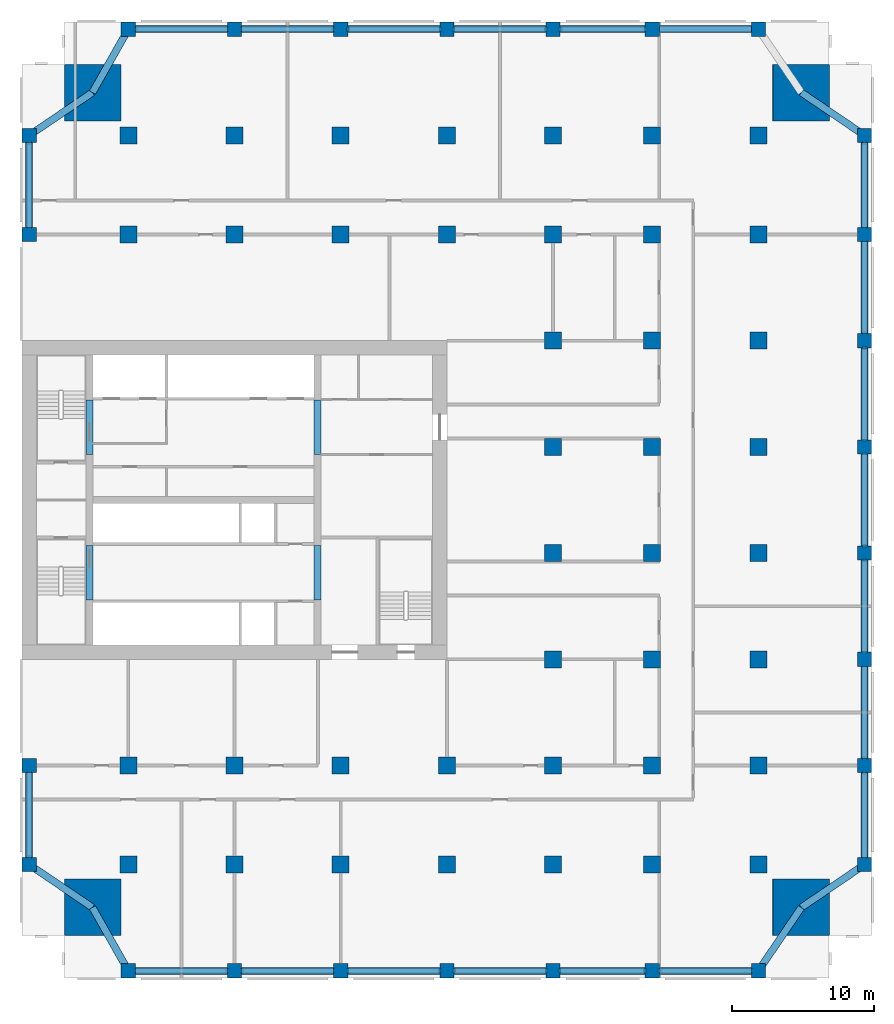
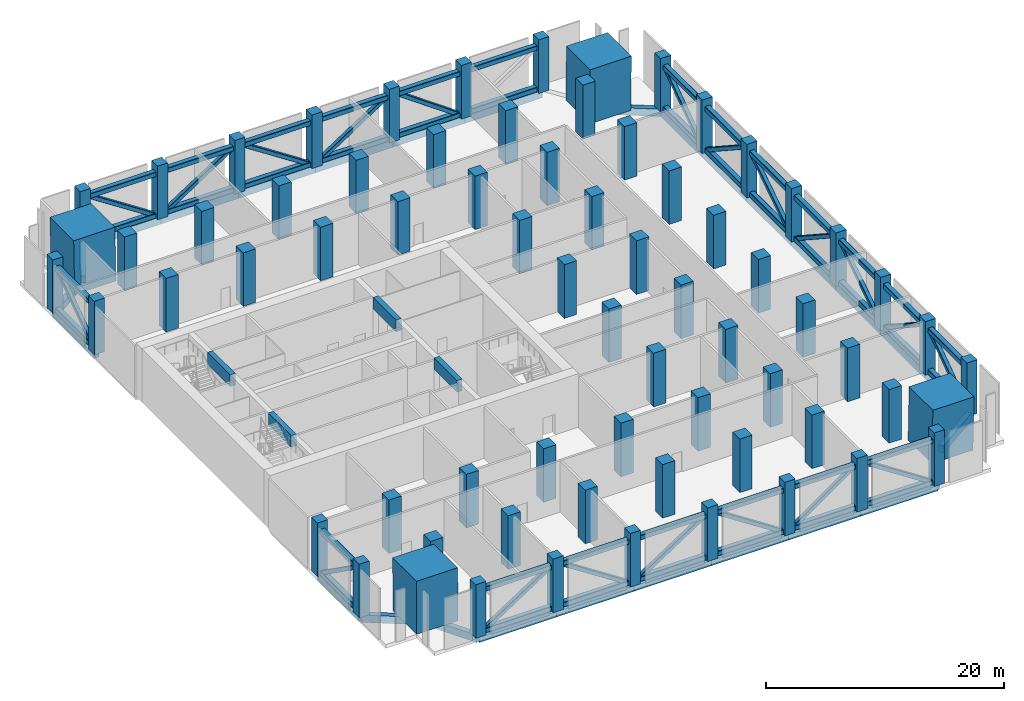
# One storey, part 1 of 10: 70 columns, 62 members, 32 beams.
"""IFC4 building model written with IfcOpenShell, lengths in metres."""

from ifc_helpers import new_model, si_unit, direction, frame, origin, origin_2d, place, context, subcontext, project, spatial, rectangle, hollow_rectangle, extrude, material, material_profile, profile_set, type_object, element, save


model = new_model("IFC4")

# Units and contexts
model_context = context("Model", 3, precision=1e-05, world=origin(), true_north=direction((0.0, 1.0)))
body_context = subcontext(model_context, "Body", "Model", "MODEL_VIEW")
ifc_project = project(units=[si_unit("LENGTHUNIT", "METRE"), si_unit("AREAUNIT", "SQUARE_METRE"), si_unit("VOLUMEUNIT", "CUBIC_METRE"), si_unit("PLANEANGLEUNIT", "RADIAN"), si_unit("MASSUNIT", "GRAM", prefix="KILO")], contexts=[model_context])

# Site, building, storey
site_placement = place(None, origin())
site = spatial("IfcSite", under=ifc_project, at=site_placement, CompositionType="ELEMENT")
building_placement = place(site_placement, origin())
building = spatial("IfcBuilding", under=site, at=building_placement, Name="Tamorin Gate", CompositionType="ELEMENT")
storey_placement = place(building_placement, frame((0.0, 0.0, 73.60009765625)))
storey = spatial("IfcBuildingStorey", under=building, at=storey_placement, Name="L17", CompositionType="ELEMENT", Elevation=73.60009765625)

# Columns
ifc_material_1 = material(Name="Concrete C80/95", Category="concrete")
ifc_material_profile_1 = material_profile(ifc_material_1, rectangle(XDim=1.0, YDim=1.0, at=origin_2d()), Name="RC 1000x1000")
ifc_profile_set_1 = profile_set([ifc_material_profile_1], Name="Concrete C80/95")
column_type_1 = type_object("IfcColumnType", Name="RC column 1000x1000 C80/95", PredefinedType="COLUMN", material=ifc_profile_set_1)
for number, where, z_axis, x_axis, name in (
    (1, (30.5, 45.5, 0.0), (0.0, 0.0, 1.0), (1.0, 0.0, 0.0), "Ring column L17"),
    (2, (30.5, 52.5, 0.0), (0.0, 0.0, 1.0), (1.0, 0.0, 0.0), "Ring column L17"),
    (3, (30.5, 90.0, 0.0), (0.0, 0.0, 1.0), (1.0, 0.0, 0.0), "Ring column L17"),
    (4, (30.5, 97.0, 0.0), (0.0, 0.0, 1.0), (1.0, 0.0, 0.0), "Ring column L17"),
    (5, (37.5, 38.0, 0.0), (0.0, 0.0, 1.0), (1.0, 0.0, 0.0), "Ring column L17"),
    (6, (37.5, 104.5, 0.0), (0.0, 0.0, 1.0), (1.0, 0.0, 0.0), "Ring column L17"),
    (7, (45.0, 38.0, 0.0), (0.0, 0.0, 1.0), (1.0, 0.0, 0.0), "Ring column L17"),
    (8, (45.0, 104.5, 0.0), (0.0, 0.0, 1.0), (1.0, 0.0, 0.0), "Ring column L17"),
    (9, (52.5, 38.0, 0.0), (0.0, 0.0, 1.0), (1.0, 0.0, 0.0), "Ring column L17"),
    (10, (52.5, 104.5, 0.0), (0.0, 0.0, 1.0), (1.0, 0.0, 0.0), "Ring column L17"),
    (11, (60.0, 38.0, 0.0), (0.0, 0.0, 1.0), (1.0, 0.0, 0.0), "Ring column L17"),
    (12, (60.0, 104.5, 0.0), (0.0, 0.0, 1.0), (1.0, 0.0, 0.0), "Ring column L17"),
    (13, (67.5, 38.0, 0.0), (0.0, 0.0, 1.0), (1.0, 0.0, 0.0), "Ring column L17"),
    (14, (67.5, 104.5, 0.0), (0.0, 0.0, 1.0), (1.0, 0.0, 0.0), "Ring column L17"),
    (15, (74.5, 38.0, 0.0), (0.0, 0.0, 1.0), (1.0, 0.0, 0.0), "Ring column L17"),
    (16, (74.5, 104.5, 0.0), (0.0, 0.0, 1.0), (1.0, 0.0, 0.0), "Ring column L17"),
    (17, (82.0, 38.0, 0.0), (0.0, 0.0, 1.0), (1.0, 0.0, 0.0), "Ring column L17"),
    (18, (82.0, 104.5, 0.0), (0.0, 0.0, 1.0), (1.0, 0.0, 0.0), "Ring column L17"),
    (19, (89.5, 45.5, 0.0), (0.0, 0.0, 1.0), (1.0, 0.0, 0.0), "Ring column L17"),
    (20, (89.5, 52.5, 0.0), (0.0, 0.0, 1.0), (1.0, 0.0, 0.0), "Ring column L17"),
    (21, (89.5, 60.0, 0.0), (0.0, 0.0, 1.0), (1.0, 0.0, 0.0), "Ring column L17"),
    (22, (89.5, 67.5, 0.0), (0.0, 0.0, 1.0), (1.0, 0.0, 0.0), "Ring column L17"),
    (23, (89.5, 75.0, 0.0), (0.0, 0.0, 1.0), (1.0, 0.0, 0.0), "Ring column L17"),
    (24, (89.5, 82.5, 0.0), (0.0, 0.0, 1.0), (1.0, 0.0, 0.0), "Ring column L17"),
    (25, (89.5, 90.0, 0.0), (0.0, 0.0, 1.0), (1.0, 0.0, 0.0), "Ring column L17"),
    (26, (89.5, 97.0, 0.0), (0.0, 0.0, 1.0), (1.0, 0.0, 0.0), "Ring column L17"),
):
    element("IfcColumn", number, at=place(storey_placement, frame(where, z_axis=z_axis, x_axis=x_axis)), inside=storey, type_object=column_type_1, Name=name, PredefinedType="COLUMN", context=body_context, shape_type="SweptSolid", body=[
        extrude(rectangle(XDim=1.0, YDim=1.0, at=origin_2d()), origin(), (0.0, 0.0, 1.0), 5.5),
    ])
ifc_material_profile_2 = material_profile(ifc_material_1, rectangle(XDim=1.199951171875, YDim=1.199951171875, at=origin_2d()), Name="RC 1200x1200")
ifc_profile_set_2 = profile_set([ifc_material_profile_2], Name="Concrete C80/95")
column_type_2 = type_object("IfcColumnType", Name="RC column 1200x1200 C80/95", PredefinedType="COLUMN", material=ifc_profile_set_2)
for number, where, z_axis, x_axis, name in (
    (27, (37.5, 45.5, 0.0), (0.0, 0.0, 1.0), (1.0, 0.0, 0.0), "Interior column L17"),
    (28, (37.5, 52.5, 0.0), (0.0, 0.0, 1.0), (1.0, 0.0, 0.0), "Interior column L17"),
    (29, (37.5, 90.0, 0.0), (0.0, 0.0, 1.0), (1.0, 0.0, 0.0), "Interior column L17"),
    (30, (37.5, 97.0, 0.0), (0.0, 0.0, 1.0), (1.0, 0.0, 0.0), "Interior column L17"),
    (31, (45.0, 45.5, 0.0), (0.0, 0.0, 1.0), (1.0, 0.0, 0.0), "Interior column L17"),
    (32, (45.0, 52.5, 0.0), (0.0, 0.0, 1.0), (1.0, 0.0, 0.0), "Interior column L17"),
    (33, (45.0, 90.0, 0.0), (0.0, 0.0, 1.0), (1.0, 0.0, 0.0), "Interior column L17"),
    (34, (45.0, 97.0, 0.0), (0.0, 0.0, 1.0), (1.0, 0.0, 0.0), "Interior column L17"),
    (35, (52.5, 45.5, 0.0), (0.0, 0.0, 1.0), (1.0, 0.0, 0.0), "Interior column L17"),
    (36, (52.5, 52.5, 0.0), (0.0, 0.0, 1.0), (1.0, 0.0, 0.0), "Interior column L17"),
    (37, (52.5, 90.0, 0.0), (0.0, 0.0, 1.0), (1.0, 0.0, 0.0), "Interior column L17"),
    (38, (52.5, 97.0, 0.0), (0.0, 0.0, 1.0), (1.0, 0.0, 0.0), "Interior column L17"),
    (39, (60.0, 45.5, 0.0), (0.0, 0.0, 1.0), (1.0, 0.0, 0.0), "Interior column L17"),
    (40, (60.0, 52.5, 0.0), (0.0, 0.0, 1.0), (1.0, 0.0, 0.0), "Interior column L17"),
    (41, (60.0, 90.0, 0.0), (0.0, 0.0, 1.0), (1.0, 0.0, 0.0), "Interior column L17"),
    (42, (60.0, 97.0, 0.0), (0.0, 0.0, 1.0), (1.0, 0.0, 0.0), "Interior column L17"),
    (43, (67.5, 45.5, 0.0), (0.0, 0.0, 1.0), (1.0, 0.0, 0.0), "Interior column L17"),
    (44, (67.5, 52.5, 0.0), (0.0, 0.0, 1.0), (1.0, 0.0, 0.0), "Interior column L17"),
    (45, (67.5, 60.0, 0.0), (0.0, 0.0, 1.0), (1.0, 0.0, 0.0), "Interior column L17"),
    (46, (67.5, 67.5, 0.0), (0.0, 0.0, 1.0), (1.0, 0.0, 0.0), "Interior column L17"),
    (47, (67.5, 75.0, 0.0), (0.0, 0.0, 1.0), (1.0, 0.0, 0.0), "Interior column L17"),
    (48, (67.5, 82.5, 0.0), (0.0, 0.0, 1.0), (1.0, 0.0, 0.0), "Interior column L17"),
    (49, (67.5, 90.0, 0.0), (0.0, 0.0, 1.0), (1.0, 0.0, 0.0), "Interior column L17"),
    (50, (67.5, 97.0, 0.0), (0.0, 0.0, 1.0), (1.0, 0.0, 0.0), "Interior column L17"),
    (51, (74.5, 45.5, 0.0), (0.0, 0.0, 1.0), (1.0, 0.0, 0.0), "Interior column L17"),
    (52, (74.5, 52.5, 0.0), (0.0, 0.0, 1.0), (1.0, 0.0, 0.0), "Interior column L17"),
    (53, (74.5, 60.0, 0.0), (0.0, 0.0, 1.0), (1.0, 0.0, 0.0), "Interior column L17"),
    (54, (74.5, 67.5, 0.0), (0.0, 0.0, 1.0), (1.0, 0.0, 0.0), "Interior column L17"),
    (55, (74.5, 75.0, 0.0), (0.0, 0.0, 1.0), (1.0, 0.0, 0.0), "Interior column L17"),
    (56, (74.5, 82.5, 0.0), (0.0, 0.0, 1.0), (1.0, 0.0, 0.0), "Interior column L17"),
    (57, (74.5, 90.0, 0.0), (0.0, 0.0, 1.0), (1.0, 0.0, 0.0), "Interior column L17"),
    (58, (74.5, 97.0, 0.0), (0.0, 0.0, 1.0), (1.0, 0.0, 0.0), "Interior column L17"),
    (59, (82.0, 45.5, 0.0), (0.0, 0.0, 1.0), (1.0, 0.0, 0.0), "Interior column L17"),
    (60, (82.0, 52.5, 0.0), (0.0, 0.0, 1.0), (1.0, 0.0, 0.0), "Interior column L17"),
    (61, (82.0, 60.0, 0.0), (0.0, 0.0, 1.0), (1.0, 0.0, 0.0), "Interior column L17"),
    (62, (82.0, 67.5, 0.0), (0.0, 0.0, 1.0), (1.0, 0.0, 0.0), "Interior column L17"),
    (63, (82.0, 75.0, 0.0), (0.0, 0.0, 1.0), (1.0, 0.0, 0.0), "Interior column L17"),
    (64, (82.0, 82.5, 0.0), (0.0, 0.0, 1.0), (1.0, 0.0, 0.0), "Interior column L17"),
    (65, (82.0, 90.0, 0.0), (0.0, 0.0, 1.0), (1.0, 0.0, 0.0), "Interior column L17"),
    (66, (82.0, 97.0, 0.0), (0.0, 0.0, 1.0), (1.0, 0.0, 0.0), "Interior column L17"),
):
    element("IfcColumn", number, at=place(storey_placement, frame(where, z_axis=z_axis, x_axis=x_axis)), inside=storey, type_object=column_type_2, Name=name, PredefinedType="COLUMN", context=body_context, shape_type="SweptSolid", body=[
        extrude(rectangle(XDim=1.199951171875, YDim=1.199951171875, at=origin_2d()), origin(), (0.0, 0.0, 1.0), 5.5),
    ])
ifc_material_profile_3 = material_profile(ifc_material_1, rectangle(XDim=4.0, YDim=4.0, at=origin_2d()), Name="RC 4000x4000")
ifc_profile_set_3 = profile_set([ifc_material_profile_3], Name="Concrete C80/95")
column_type_3 = type_object("IfcColumnType", Name="RC column 4000x4000 C80/95", PredefinedType="COLUMN", material=ifc_profile_set_3)
for number, where, z_axis, x_axis, name in (
    (67, (35.0, 42.5, 0.0), (0.0, 0.0, 1.0), (-1.0, 0.0, 0.0), "Mega column SW L17"),
    (68, (85.0, 42.5, 0.0), (0.0, 0.0, 1.0), (0.0, -1.0, 0.0), "Mega column SE L17"),
    (69, (35.0, 100.0, 0.0), (0.0, 0.0, 1.0), (0.0, 1.0, 0.0), "Mega column NW L17"),
    (70, (85.0, 100.0, 0.0), (0.0, 0.0, 1.0), (1.0, 0.0, 0.0), "Mega column NE L17"),
):
    element("IfcColumn", number, at=place(storey_placement, frame(where, z_axis=z_axis, x_axis=x_axis)), inside=storey, type_object=column_type_3, Name=name, PredefinedType="COLUMN", context=body_context, shape_type="SweptSolid", body=[
        extrude(rectangle(XDim=4.0, YDim=4.0, at=origin_2d()), origin(), (0.011362169236, 0.011362169236, 0.999870892776), 5.500732421875),
    ])

# Beams
ifc_material_profile_4 = material_profile(ifc_material_1, rectangle(XDim=0.5, YDim=1.199951171875, at=origin_2d()), Name="RC 500x1200")
ifc_profile_set_4 = profile_set([ifc_material_profile_4], Name="Concrete C80/95")
beam_type_1 = type_object("IfcBeamType", Name="RC coupling beam 500x1200 C80/95", PredefinedType="BEAM", material=ifc_profile_set_4)
for number, where, z_axis, x_axis, name in (
    (71, (34.75, 64.199951171875, 4.89990234375), (0.0, 1.0, 0.0), (-1.0, 0.0, 0.0), "Coupling beam L17"),
    (72, (34.75, 74.449951171875, 4.89990234375), (0.0, 1.0, 0.0), (-1.0, 0.0, 0.0), "Coupling beam L17"),
    (73, (50.85009765625, 64.199951171875, 4.89990234375), (0.0, 1.0, 0.0), (-1.0, 0.0, 0.0), "Coupling beam L17"),
    (74, (50.85009765625, 74.449951171875, 4.89990234375), (0.0, 1.0, 0.0), (-1.0, 0.0, 0.0), "Coupling beam L17"),
):
    element("IfcBeam", number, at=place(storey_placement, frame(where, z_axis=z_axis, x_axis=x_axis)), inside=storey, type_object=beam_type_1, Name=name, PredefinedType="BEAM", context=body_context, shape_type="SweptSolid", body=[
        extrude(rectangle(XDim=0.5, YDim=1.199951171875, at=origin_2d()), origin(), (0.0, 0.0, 1.0), 3.85009765625),
    ])
ifc_material_2 = material(Name="Concrete C50/60", Category="concrete")
ifc_material_profile_5 = material_profile(ifc_material_2, rectangle(XDim=0.5, YDim=0.75, at=origin_2d()), Name="RC 500x750")
ifc_profile_set_5 = profile_set([ifc_material_profile_5], Name="Concrete C50/60")
beam_type_2 = type_object("IfcBeamType", Name="RC spandrel 500x750 C50/60", PredefinedType="BEAM", material=ifc_profile_set_5)
for number, where, z_axis, x_axis, name in (
    (75, (37.5, 38.0, -0.375), (1.0, 0.0, 0.0), (0.0, 1.0, 0.0), "Spandrel beam L17"),
    (76, (45.0, 38.0, -0.375), (1.0, 0.0, 0.0), (0.0, 1.0, 0.0), "Spandrel beam L17"),
    (77, (52.5, 38.0, -0.375), (1.0, 0.0, 0.0), (0.0, 1.0, 0.0), "Spandrel beam L17"),
    (78, (60.0, 38.0, -0.375), (1.0, 0.0, 0.0), (0.0, 1.0, 0.0), "Spandrel beam L17"),
):
    element("IfcBeam", number, at=place(storey_placement, frame(where, z_axis=z_axis, x_axis=x_axis)), inside=storey, type_object=beam_type_2, Name=name, PredefinedType="BEAM", context=body_context, shape_type="SweptSolid", body=[
        extrude(rectangle(XDim=0.5, YDim=0.75, at=origin_2d()), origin(), (0.0, 0.0, 1.0), 7.5),
    ])
beam_1_placement = place(storey_placement, frame((67.5, 38.0, -0.375), z_axis=(1.0, 0.0, 0.0), x_axis=(0.0, 1.0, 0.0)))
element("IfcBeam", 79, at=beam_1_placement, inside=storey, type_object=beam_type_2, Name="Spandrel beam L17", PredefinedType="BEAM", context=body_context, shape_type="SweptSolid", body=[
    extrude(rectangle(XDim=0.5, YDim=0.75, at=origin_2d()), origin(), (0.0, 0.0, 1.0), 7.0),
])
beam_2_placement = place(storey_placement, frame((74.5, 38.0, -0.375), z_axis=(1.0, 0.0, 0.0), x_axis=(0.0, 1.0, 0.0)))
element("IfcBeam", 80, at=beam_2_placement, inside=storey, type_object=beam_type_2, Name="Spandrel beam L17", PredefinedType="BEAM", context=body_context, shape_type="SweptSolid", body=[
    extrude(rectangle(XDim=0.5, YDim=0.75, at=origin_2d()), origin(), (0.0, 0.0, 1.0), 7.5),
])
beam_3_placement = place(storey_placement, frame((89.5, 45.5, -0.375), z_axis=(0.0, 1.0, 0.0), x_axis=(-1.0, 0.0, 0.0)))
element("IfcBeam", 81, at=beam_3_placement, inside=storey, type_object=beam_type_2, Name="Spandrel beam L17", PredefinedType="BEAM", context=body_context, shape_type="SweptSolid", body=[
    extrude(rectangle(XDim=0.5, YDim=0.75, at=origin_2d()), origin(), (0.0, 0.0, 1.0), 7.0),
])
for number, where, z_axis, x_axis, name in (
    (82, (89.5, 52.5, -0.375), (0.0, 1.0, 0.0), (-1.0, 0.0, 0.0), "Spandrel beam L17"),
    (83, (89.5, 60.0, -0.375), (0.0, 1.0, 0.0), (-1.0, 0.0, 0.0), "Spandrel beam L17"),
    (84, (89.5, 67.5, -0.375), (0.0, 1.0, 0.0), (-1.0, 0.0, 0.0), "Spandrel beam L17"),
    (85, (89.5, 75.0, -0.375), (0.0, 1.0, 0.0), (-1.0, 0.0, 0.0), "Spandrel beam L17"),
    (86, (89.5, 82.5, -0.375), (0.0, 1.0, 0.0), (-1.0, 0.0, 0.0), "Spandrel beam L17"),
):
    element("IfcBeam", number, at=place(storey_placement, frame(where, z_axis=z_axis, x_axis=x_axis)), inside=storey, type_object=beam_type_2, Name=name, PredefinedType="BEAM", context=body_context, shape_type="SweptSolid", body=[
        extrude(rectangle(XDim=0.5, YDim=0.75, at=origin_2d()), origin(), (0.0, 0.0, 1.0), 7.5),
    ])
beam_4_placement = place(storey_placement, frame((89.5, 90.0, -0.375), z_axis=(0.0, 1.0, 0.0), x_axis=(-1.0, 0.0, 0.0)))
element("IfcBeam", 87, at=beam_4_placement, inside=storey, type_object=beam_type_2, Name="Spandrel beam L17", PredefinedType="BEAM", context=body_context, shape_type="SweptSolid", body=[
    extrude(rectangle(XDim=0.5, YDim=0.75, at=origin_2d()), origin(), (0.0, 0.0, 1.0), 7.0),
])
beam_5_placement = place(storey_placement, frame((82.0, 104.5, -0.375), z_axis=(-1.0, 0.0, 0.0), x_axis=(0.0, -1.0, 0.0)))
element("IfcBeam", 88, at=beam_5_placement, inside=storey, type_object=beam_type_2, Name="Spandrel beam L17", PredefinedType="BEAM", context=body_context, shape_type="SweptSolid", body=[
    extrude(rectangle(XDim=0.5, YDim=0.75, at=origin_2d()), origin(), (0.0, 0.0, 1.0), 7.5),
])
beam_6_placement = place(storey_placement, frame((74.5, 104.5, -0.375), z_axis=(-1.0, 0.0, 0.0), x_axis=(0.0, -1.0, 0.0)))
element("IfcBeam", 89, at=beam_6_placement, inside=storey, type_object=beam_type_2, Name="Spandrel beam L17", PredefinedType="BEAM", context=body_context, shape_type="SweptSolid", body=[
    extrude(rectangle(XDim=0.5, YDim=0.75, at=origin_2d()), origin(), (0.0, 0.0, 1.0), 7.0),
])
for number, where, z_axis, x_axis, name in (
    (90, (67.5, 104.5, -0.375), (-1.0, 0.0, 0.0), (0.0, -1.0, 0.0), "Spandrel beam L17"),
    (91, (60.0, 104.5, -0.375), (-1.0, 0.0, 0.0), (0.0, -1.0, 0.0), "Spandrel beam L17"),
    (92, (52.5, 104.5, -0.375), (-1.0, 0.0, 0.0), (0.0, -1.0, 0.0), "Spandrel beam L17"),
    (93, (45.0, 104.5, -0.375), (-1.0, 0.0, 0.0), (0.0, -1.0, 0.0), "Spandrel beam L17"),
):
    element("IfcBeam", number, at=place(storey_placement, frame(where, z_axis=z_axis, x_axis=x_axis)), inside=storey, type_object=beam_type_2, Name=name, PredefinedType="BEAM", context=body_context, shape_type="SweptSolid", body=[
        extrude(rectangle(XDim=0.5, YDim=0.75, at=origin_2d()), origin(), (0.0, 0.0, 1.0), 7.5),
    ])
for number, where, z_axis, x_axis, name in (
    (94, (30.5, 97.0, -0.375), (0.0, -1.0, 0.0), (1.0, 0.0, 0.0), "Spandrel beam L17"),
    (95, (30.5, 52.5, -0.375), (0.0, -1.0, 0.0), (1.0, 0.0, 0.0), "Spandrel beam L17"),
):
    element("IfcBeam", number, at=place(storey_placement, frame(where, z_axis=z_axis, x_axis=x_axis)), inside=storey, type_object=beam_type_2, Name=name, PredefinedType="BEAM", context=body_context, shape_type="SweptSolid", body=[
        extrude(rectangle(XDim=0.5, YDim=0.75, at=origin_2d()), origin(), (0.0, 0.0, 1.0), 7.0),
    ])
beam_7_placement = place(storey_placement, frame((34.96875, 42.46875, -0.375), z_axis=(0.492859040011, -0.870109169403, 0.0), x_axis=(0.870109169403, 0.492859040011, 0.0)))
element("IfcBeam", 96, at=beam_7_placement, inside=storey, type_object=beam_type_2, Name="Corner tie beam L17", PredefinedType="BEAM", context=body_context, shape_type="SweptSolid", body=[
    extrude(rectangle(XDim=0.5, YDim=0.75, at=origin_2d()), origin(), (0.0, 0.0, 1.0), 5.1357421875),
])
for number, where, z_axis, x_axis, name in (
    (97, (34.96875, 42.46875, -0.375), (-0.827571794684, 0.561359888702, 0.0), (-0.561359888702, -0.827571794684, 0.0), "Corner tie beam L17"),
    (98, (85.03125, 42.46875, -0.375), (-0.561359888702, -0.827571794684, 0.0), (0.827571794684, -0.561359888702, 0.0), "Corner tie beam L17"),
    (99, (85.03125, 42.46875, -0.375), (0.827571794684, 0.561359888702, 0.0), (-0.561359888702, 0.827571794684, 0.0), "Corner tie beam L17"),
):
    element("IfcBeam", number, at=place(storey_placement, frame(where, z_axis=z_axis, x_axis=x_axis)), inside=storey, type_object=beam_type_2, Name=name, PredefinedType="BEAM", context=body_context, shape_type="SweptSolid", body=[
        extrude(rectangle(XDim=0.5, YDim=0.75, at=origin_2d()), origin(), (0.0, 0.0, 1.0), 5.39990234375),
    ])
beam_8_placement = place(storey_placement, frame((34.96875, 100.03125, -0.375), z_axis=(0.492859040011, 0.870109169403, 0.0), x_axis=(-0.870109169403, 0.492859040011, 0.0)))
element("IfcBeam", 100, at=beam_8_placement, inside=storey, type_object=beam_type_2, Name="Corner tie beam L17", PredefinedType="BEAM", context=body_context, shape_type="SweptSolid", body=[
    extrude(rectangle(XDim=0.5, YDim=0.75, at=origin_2d()), origin(), (0.0, 0.0, 1.0), 5.1357421875),
])
for number, where, z_axis, x_axis, name in (
    (101, (34.96875, 100.03125, -0.375), (-0.827571794684, -0.561359888702, 0.0), (0.561359888702, -0.827571794684, 0.0), "Corner tie beam L17"),
    (102, (85.03125, 100.03125, -0.375), (0.827571794684, -0.561359888702, 0.0), (0.561359888702, 0.827571794684, 0.0), "Corner tie beam L17"),
):
    element("IfcBeam", number, at=place(storey_placement, frame(where, z_axis=z_axis, x_axis=x_axis)), inside=storey, type_object=beam_type_2, Name=name, PredefinedType="BEAM", context=body_context, shape_type="SweptSolid", body=[
        extrude(rectangle(XDim=0.5, YDim=0.75, at=origin_2d()), origin(), (0.0, 0.0, 1.0), 5.39990234375),
    ])

# Members
ifc_material_3 = material(Name="Steel S355J2H", Category="steel")
ifc_material_profile_6 = material_profile(ifc_material_3, hollow_rectangle(XDim=0.5, YDim=0.5, WallThickness=0.02490234375, InnerFilletRadius=0.03759765625, OuterFilletRadius=0.0625, at=origin_2d()), Name="RHS 500x500x25")
ifc_profile_set_6 = profile_set([ifc_material_profile_6], Name="Steel S355J2H")
member_type_1 = type_object("IfcMemberType", Name="Steel chord RHS 500x500x25", PredefinedType="CHORD", material=ifc_profile_set_6)
for number, where, z_axis, x_axis, name in (
    (103, (38.0, 38.0, 0.25), (1.0, 0.0, 0.0), (0.0, 1.0, 0.0), "Truss bottom chord L17"),
    (104, (38.0, 38.0, 4.5), (1.0, 0.0, 0.0), (0.0, 1.0, 0.0), "Truss top chord L17"),
    (105, (45.5, 38.0, 0.25), (1.0, 0.0, 0.0), (0.0, 1.0, 0.0), "Truss bottom chord L17"),
    (106, (45.5, 38.0, 4.5), (1.0, 0.0, 0.0), (0.0, 1.0, 0.0), "Truss top chord L17"),
    (107, (53.0, 38.0, 0.25), (1.0, 0.0, 0.0), (0.0, 1.0, 0.0), "Truss bottom chord L17"),
    (108, (53.0, 38.0, 4.5), (1.0, 0.0, 0.0), (0.0, 1.0, 0.0), "Truss top chord L17"),
    (109, (60.5, 38.0, 0.25), (1.0, 0.0, 0.0), (0.0, 1.0, 0.0), "Truss bottom chord L17"),
    (110, (60.5, 38.0, 4.5), (1.0, 0.0, 0.0), (0.0, 1.0, 0.0), "Truss top chord L17"),
):
    element("IfcMember", number, at=place(storey_placement, frame(where, z_axis=z_axis, x_axis=x_axis)), inside=storey, type_object=member_type_1, Name=name, PredefinedType="CHORD", context=body_context, shape_type="SweptSolid", body=[
        extrude(hollow_rectangle(XDim=0.5, YDim=0.5, WallThickness=0.02490234375, InnerFilletRadius=0.03759765625, OuterFilletRadius=0.0625, at=origin_2d()), origin(), (0.0, 0.0, 1.0), 6.5),
    ])
for number, where, z_axis, x_axis, name in (
    (111, (68.0, 38.0, 0.25), (1.0, 0.0, 0.0), (0.0, 1.0, 0.0), "Truss bottom chord L17"),
    (112, (68.0, 38.0, 4.5), (1.0, 0.0, 0.0), (0.0, 1.0, 0.0), "Truss top chord L17"),
):
    element("IfcMember", number, at=place(storey_placement, frame(where, z_axis=z_axis, x_axis=x_axis)), inside=storey, type_object=member_type_1, Name=name, PredefinedType="CHORD", context=body_context, shape_type="SweptSolid", body=[
        extrude(hollow_rectangle(XDim=0.5, YDim=0.5, WallThickness=0.02490234375, InnerFilletRadius=0.03759765625, OuterFilletRadius=0.0625, at=origin_2d()), origin(), (0.0, 0.0, 1.0), 6.0),
    ])
for number, where, z_axis, x_axis, name in (
    (113, (75.0, 38.0, 0.25), (1.0, 0.0, 0.0), (0.0, 1.0, 0.0), "Truss bottom chord L17"),
    (114, (75.0, 38.0, 4.5), (1.0, 0.0, 0.0), (0.0, 1.0, 0.0), "Truss top chord L17"),
):
    element("IfcMember", number, at=place(storey_placement, frame(where, z_axis=z_axis, x_axis=x_axis)), inside=storey, type_object=member_type_1, Name=name, PredefinedType="CHORD", context=body_context, shape_type="SweptSolid", body=[
        extrude(hollow_rectangle(XDim=0.5, YDim=0.5, WallThickness=0.02490234375, InnerFilletRadius=0.03759765625, OuterFilletRadius=0.0625, at=origin_2d()), origin(), (0.0, 0.0, 1.0), 6.5),
    ])
for number, where, z_axis, x_axis, name in (
    (115, (89.5, 46.0, 0.25), (0.0, 1.0, 0.0), (-1.0, 0.0, 0.0), "Truss bottom chord L17"),
    (116, (89.5, 46.0, 4.5), (0.0, 1.0, 0.0), (-1.0, 0.0, 0.0), "Truss top chord L17"),
):
    element("IfcMember", number, at=place(storey_placement, frame(where, z_axis=z_axis, x_axis=x_axis)), inside=storey, type_object=member_type_1, Name=name, PredefinedType="CHORD", context=body_context, shape_type="SweptSolid", body=[
        extrude(hollow_rectangle(XDim=0.5, YDim=0.5, WallThickness=0.02490234375, InnerFilletRadius=0.03759765625, OuterFilletRadius=0.0625, at=origin_2d()), origin(), (0.0, 0.0, 1.0), 6.0),
    ])
for number, where, z_axis, x_axis, name in (
    (117, (89.5, 53.0, 0.25), (0.0, 1.0, 0.0), (-1.0, 0.0, 0.0), "Truss bottom chord L17"),
    (118, (89.5, 53.0, 4.5), (0.0, 1.0, 0.0), (-1.0, 0.0, 0.0), "Truss top chord L17"),
    (119, (89.5, 60.5, 0.25), (0.0, 1.0, 0.0), (-1.0, 0.0, 0.0), "Truss bottom chord L17"),
    (120, (89.5, 60.5, 4.5), (0.0, 1.0, 0.0), (-1.0, 0.0, 0.0), "Truss top chord L17"),
    (121, (89.5, 68.0, 0.25), (0.0, 1.0, 0.0), (-1.0, 0.0, 0.0), "Truss bottom chord L17"),
    (122, (89.5, 68.0, 4.5), (0.0, 1.0, 0.0), (-1.0, 0.0, 0.0), "Truss top chord L17"),
    (123, (89.5, 75.5, 0.25), (0.0, 1.0, 0.0), (-1.0, 0.0, 0.0), "Truss bottom chord L17"),
    (124, (89.5, 75.5, 4.5), (0.0, 1.0, 0.0), (-1.0, 0.0, 0.0), "Truss top chord L17"),
    (125, (89.5, 83.0, 0.25), (0.0, 1.0, 0.0), (-1.0, 0.0, 0.0), "Truss bottom chord L17"),
    (126, (89.5, 83.0, 4.5), (0.0, 1.0, 0.0), (-1.0, 0.0, 0.0), "Truss top chord L17"),
):
    element("IfcMember", number, at=place(storey_placement, frame(where, z_axis=z_axis, x_axis=x_axis)), inside=storey, type_object=member_type_1, Name=name, PredefinedType="CHORD", context=body_context, shape_type="SweptSolid", body=[
        extrude(hollow_rectangle(XDim=0.5, YDim=0.5, WallThickness=0.02490234375, InnerFilletRadius=0.03759765625, OuterFilletRadius=0.0625, at=origin_2d()), origin(), (0.0, 0.0, 1.0), 6.5),
    ])
for number, where, z_axis, x_axis, name in (
    (127, (89.5, 90.5, 0.25), (0.0, 1.0, 0.0), (-1.0, 0.0, 0.0), "Truss bottom chord L17"),
    (128, (89.5, 90.5, 4.5), (0.0, 1.0, 0.0), (-1.0, 0.0, 0.0), "Truss top chord L17"),
):
    element("IfcMember", number, at=place(storey_placement, frame(where, z_axis=z_axis, x_axis=x_axis)), inside=storey, type_object=member_type_1, Name=name, PredefinedType="CHORD", context=body_context, shape_type="SweptSolid", body=[
        extrude(hollow_rectangle(XDim=0.5, YDim=0.5, WallThickness=0.02490234375, InnerFilletRadius=0.03759765625, OuterFilletRadius=0.0625, at=origin_2d()), origin(), (0.0, 0.0, 1.0), 6.0),
    ])
for number, where, z_axis, x_axis, name in (
    (129, (81.5, 104.5, 0.25), (-1.0, 0.0, 0.0), (0.0, -1.0, 0.0), "Truss bottom chord L17"),
    (130, (81.5, 104.5, 4.5), (-1.0, 0.0, 0.0), (0.0, -1.0, 0.0), "Truss top chord L17"),
):
    element("IfcMember", number, at=place(storey_placement, frame(where, z_axis=z_axis, x_axis=x_axis)), inside=storey, type_object=member_type_1, Name=name, PredefinedType="CHORD", context=body_context, shape_type="SweptSolid", body=[
        extrude(hollow_rectangle(XDim=0.5, YDim=0.5, WallThickness=0.02490234375, InnerFilletRadius=0.03759765625, OuterFilletRadius=0.0625, at=origin_2d()), origin(), (0.0, 0.0, 1.0), 6.5),
    ])
for number, where, z_axis, x_axis, name in (
    (131, (74.0, 104.5, 0.25), (-1.0, 0.0, 0.0), (0.0, -1.0, 0.0), "Truss bottom chord L17"),
    (132, (74.0, 104.5, 4.5), (-1.0, 0.0, 0.0), (0.0, -1.0, 0.0), "Truss top chord L17"),
):
    element("IfcMember", number, at=place(storey_placement, frame(where, z_axis=z_axis, x_axis=x_axis)), inside=storey, type_object=member_type_1, Name=name, PredefinedType="CHORD", context=body_context, shape_type="SweptSolid", body=[
        extrude(hollow_rectangle(XDim=0.5, YDim=0.5, WallThickness=0.02490234375, InnerFilletRadius=0.03759765625, OuterFilletRadius=0.0625, at=origin_2d()), origin(), (0.0, 0.0, 1.0), 6.0),
    ])
for number, where, z_axis, x_axis, name in (
    (133, (67.0, 104.5, 0.25), (-1.0, 0.0, 0.0), (0.0, -1.0, 0.0), "Truss bottom chord L17"),
    (134, (67.0, 104.5, 4.5), (-1.0, 0.0, 0.0), (0.0, -1.0, 0.0), "Truss top chord L17"),
    (135, (59.5, 104.5, 0.25), (-1.0, 0.0, 0.0), (0.0, -1.0, 0.0), "Truss bottom chord L17"),
    (136, (59.5, 104.5, 4.5), (-1.0, 0.0, 0.0), (0.0, -1.0, 0.0), "Truss top chord L17"),
    (137, (52.0, 104.5, 0.25), (-1.0, 0.0, 0.0), (0.0, -1.0, 0.0), "Truss bottom chord L17"),
    (138, (52.0, 104.5, 4.5), (-1.0, 0.0, 0.0), (0.0, -1.0, 0.0), "Truss top chord L17"),
    (139, (44.5, 104.5, 0.25), (-1.0, 0.0, 0.0), (0.0, -1.0, 0.0), "Truss bottom chord L17"),
    (140, (44.5, 104.5, 4.5), (-1.0, 0.0, 0.0), (0.0, -1.0, 0.0), "Truss top chord L17"),
):
    element("IfcMember", number, at=place(storey_placement, frame(where, z_axis=z_axis, x_axis=x_axis)), inside=storey, type_object=member_type_1, Name=name, PredefinedType="CHORD", context=body_context, shape_type="SweptSolid", body=[
        extrude(hollow_rectangle(XDim=0.5, YDim=0.5, WallThickness=0.02490234375, InnerFilletRadius=0.03759765625, OuterFilletRadius=0.0625, at=origin_2d()), origin(), (0.0, 0.0, 1.0), 6.5),
    ])
for number, where, z_axis, x_axis, name in (
    (141, (30.5, 96.5, 0.25), (0.0, -1.0, 0.0), (1.0, 0.0, 0.0), "Truss bottom chord L17"),
    (142, (30.5, 96.5, 4.5), (0.0, -1.0, 0.0), (1.0, 0.0, 0.0), "Truss top chord L17"),
    (143, (30.5, 52.0, 0.25), (0.0, -1.0, 0.0), (1.0, 0.0, 0.0), "Truss bottom chord L17"),
    (144, (30.5, 52.0, 4.5), (0.0, -1.0, 0.0), (1.0, 0.0, 0.0), "Truss top chord L17"),
):
    element("IfcMember", number, at=place(storey_placement, frame(where, z_axis=z_axis, x_axis=x_axis)), inside=storey, type_object=member_type_1, Name=name, PredefinedType="CHORD", context=body_context, shape_type="SweptSolid", body=[
        extrude(hollow_rectangle(XDim=0.5, YDim=0.5, WallThickness=0.02490234375, InnerFilletRadius=0.03759765625, OuterFilletRadius=0.0625, at=origin_2d()), origin(), (0.0, 0.0, 1.0), 6.0),
    ])
ifc_material_profile_7 = material_profile(ifc_material_3, hollow_rectangle(XDim=0.39990234375, YDim=0.39990234375, WallThickness=0.02001953125, InnerFilletRadius=0.030029296875, OuterFilletRadius=0.050048828125, at=origin_2d()), Name="RHS 400x400x20")
ifc_profile_set_7 = profile_set([ifc_material_profile_7], Name="Steel S355J2H")
member_type_2 = type_object("IfcMemberType", Name="Steel diagonal RHS 400x400x20", PredefinedType="BRACE", material=ifc_profile_set_7)
for number, where, z_axis, x_axis, name in (
    (145, (38.0, 38.0, 0.25), (0.836969613974, 0.0, 0.547249362983), (0.0, 1.0, 0.0), "Truss diagonal L17"),
    (146, (45.5, 38.0, 4.5), (0.836969613974, 0.0, -0.547249362983), (0.0, 1.0, 0.0), "Truss diagonal L17"),
    (147, (53.0, 38.0, 0.25), (0.836969613974, 0.0, 0.547249362983), (0.0, 1.0, 0.0), "Truss diagonal L17"),
    (148, (60.5, 38.0, 4.5), (0.836969613974, 0.0, -0.547249362983), (0.0, 1.0, 0.0), "Truss diagonal L17"),
):
    element("IfcMember", number, at=place(storey_placement, frame(where, z_axis=z_axis, x_axis=x_axis)), inside=storey, type_object=member_type_2, Name=name, PredefinedType="BRACE", context=body_context, shape_type="SweptSolid", body=[
        extrude(hollow_rectangle(XDim=0.39990234375, YDim=0.39990234375, WallThickness=0.02001953125, InnerFilletRadius=0.030029296875, OuterFilletRadius=0.050048828125, at=origin_2d()), origin(), (0.0, 0.0, 1.0), 7.76611328125),
    ])
member_1_placement = place(storey_placement, frame((68.0, 38.0, 0.25), z_axis=(0.816024481102, 0.0, 0.57801734078), x_axis=(0.0, 1.0, 0.0)))
element("IfcMember", 149, at=member_1_placement, inside=storey, type_object=member_type_2, Name="Truss diagonal L17", PredefinedType="BRACE", context=body_context, shape_type="SweptSolid", body=[
    extrude(hollow_rectangle(XDim=0.39990234375, YDim=0.39990234375, WallThickness=0.02001953125, InnerFilletRadius=0.030029296875, OuterFilletRadius=0.050048828125, at=origin_2d()), origin(), (0.0, 0.0, 1.0), 7.352783203125),
])
member_2_placement = place(storey_placement, frame((75.0, 38.0, 4.5), z_axis=(0.836969613974, 0.0, -0.547249362983), x_axis=(0.0, 1.0, 0.0)))
element("IfcMember", 150, at=member_2_placement, inside=storey, type_object=member_type_2, Name="Truss diagonal L17", PredefinedType="BRACE", context=body_context, shape_type="SweptSolid", body=[
    extrude(hollow_rectangle(XDim=0.39990234375, YDim=0.39990234375, WallThickness=0.02001953125, InnerFilletRadius=0.030029296875, OuterFilletRadius=0.050048828125, at=origin_2d()), origin(), (0.0, 0.0, 1.0), 7.76611328125),
])
member_3_placement = place(storey_placement, frame((89.5, 46.0, 0.25), z_axis=(0.0, 0.816024481102, 0.57801734078), x_axis=(-1.0, 0.0, 0.0)))
element("IfcMember", 151, at=member_3_placement, inside=storey, type_object=member_type_2, Name="Truss diagonal L17", PredefinedType="BRACE", context=body_context, shape_type="SweptSolid", body=[
    extrude(hollow_rectangle(XDim=0.39990234375, YDim=0.39990234375, WallThickness=0.02001953125, InnerFilletRadius=0.030029296875, OuterFilletRadius=0.050048828125, at=origin_2d()), origin(), (0.0, 0.0, 1.0), 7.352783203125),
])
for number, where, z_axis, x_axis, name in (
    (152, (89.5, 53.0, 4.5), (0.0, 0.836969613974, -0.547249362983), (-1.0, 0.0, 0.0), "Truss diagonal L17"),
    (153, (89.5, 60.5, 0.25), (0.0, 0.836969613974, 0.547249362983), (-1.0, 0.0, 0.0), "Truss diagonal L17"),
    (154, (89.5, 68.0, 4.5), (0.0, 0.836969613974, -0.547249362983), (-1.0, 0.0, 0.0), "Truss diagonal L17"),
    (155, (89.5, 75.5, 0.25), (0.0, 0.836969613974, 0.547249362983), (-1.0, 0.0, 0.0), "Truss diagonal L17"),
    (156, (89.5, 83.0, 4.5), (0.0, 0.836969613974, -0.547249362983), (-1.0, 0.0, 0.0), "Truss diagonal L17"),
):
    element("IfcMember", number, at=place(storey_placement, frame(where, z_axis=z_axis, x_axis=x_axis)), inside=storey, type_object=member_type_2, Name=name, PredefinedType="BRACE", context=body_context, shape_type="SweptSolid", body=[
        extrude(hollow_rectangle(XDim=0.39990234375, YDim=0.39990234375, WallThickness=0.02001953125, InnerFilletRadius=0.030029296875, OuterFilletRadius=0.050048828125, at=origin_2d()), origin(), (0.0, 0.0, 1.0), 7.76611328125),
    ])
for number, where, z_axis, x_axis, name in (
    (157, (89.5, 90.5, 0.25), (0.0, 0.816024481102, 0.57801734078), (-1.0, 0.0, 0.0), "Truss diagonal L17"),
    (158, (74.0, 104.5, 0.25), (-0.816024481102, 0.0, 0.57801734078), (0.0, -1.0, 0.0), "Truss diagonal L17"),
):
    element("IfcMember", number, at=place(storey_placement, frame(where, z_axis=z_axis, x_axis=x_axis)), inside=storey, type_object=member_type_2, Name=name, PredefinedType="BRACE", context=body_context, shape_type="SweptSolid", body=[
        extrude(hollow_rectangle(XDim=0.39990234375, YDim=0.39990234375, WallThickness=0.02001953125, InnerFilletRadius=0.030029296875, OuterFilletRadius=0.050048828125, at=origin_2d()), origin(), (0.0, 0.0, 1.0), 7.352783203125),
    ])
for number, where, z_axis, x_axis, name in (
    (159, (67.0, 104.5, 4.5), (-0.836969613974, 0.0, -0.547249362983), (0.0, -1.0, 0.0), "Truss diagonal L17"),
    (160, (59.5, 104.5, 0.25), (-0.836969613974, 0.0, 0.547249362983), (0.0, -1.0, 0.0), "Truss diagonal L17"),
    (161, (52.0, 104.5, 4.5), (-0.836969613974, 0.0, -0.547249362983), (0.0, -1.0, 0.0), "Truss diagonal L17"),
    (162, (44.5, 104.5, 0.25), (-0.836969613974, 0.0, 0.547249362983), (0.0, -1.0, 0.0), "Truss diagonal L17"),
):
    element("IfcMember", number, at=place(storey_placement, frame(where, z_axis=z_axis, x_axis=x_axis)), inside=storey, type_object=member_type_2, Name=name, PredefinedType="BRACE", context=body_context, shape_type="SweptSolid", body=[
        extrude(hollow_rectangle(XDim=0.39990234375, YDim=0.39990234375, WallThickness=0.02001953125, InnerFilletRadius=0.030029296875, OuterFilletRadius=0.050048828125, at=origin_2d()), origin(), (0.0, 0.0, 1.0), 7.76611328125),
    ])
for number, where, z_axis, x_axis, name in (
    (163, (30.5, 96.5, 4.5), (0.0, -0.816024481102, -0.57801734078), (1.0, 0.0, 0.0), "Truss diagonal L17"),
    (164, (30.5, 52.0, 0.25), (0.0, -0.816024481102, 0.57801734078), (1.0, 0.0, 0.0), "Truss diagonal L17"),
):
    element("IfcMember", number, at=place(storey_placement, frame(where, z_axis=z_axis, x_axis=x_axis)), inside=storey, type_object=member_type_2, Name=name, PredefinedType="BRACE", context=body_context, shape_type="SweptSolid", body=[
        extrude(hollow_rectangle(XDim=0.39990234375, YDim=0.39990234375, WallThickness=0.02001953125, InnerFilletRadius=0.030029296875, OuterFilletRadius=0.050048828125, at=origin_2d()), origin(), (0.0, 0.0, 1.0), 7.352783203125),
    ])

save(model, "model.ifc")
